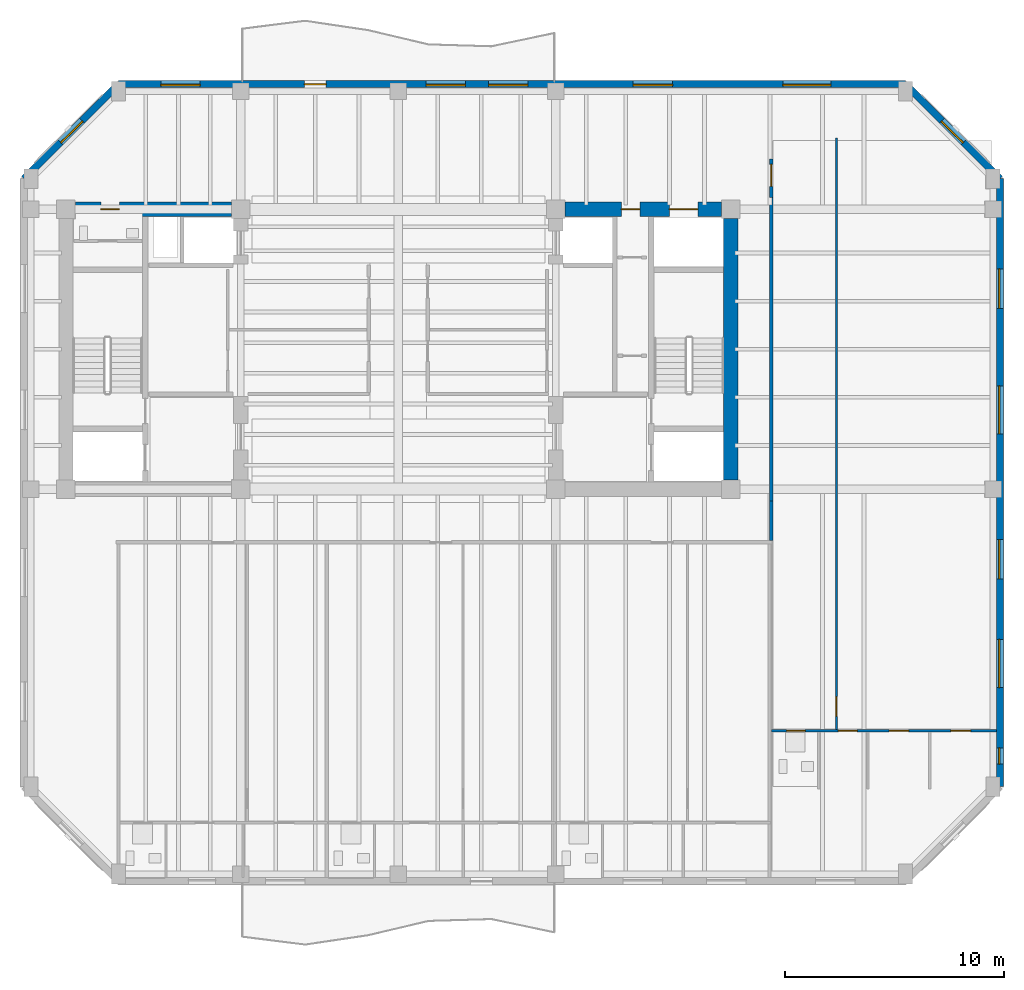
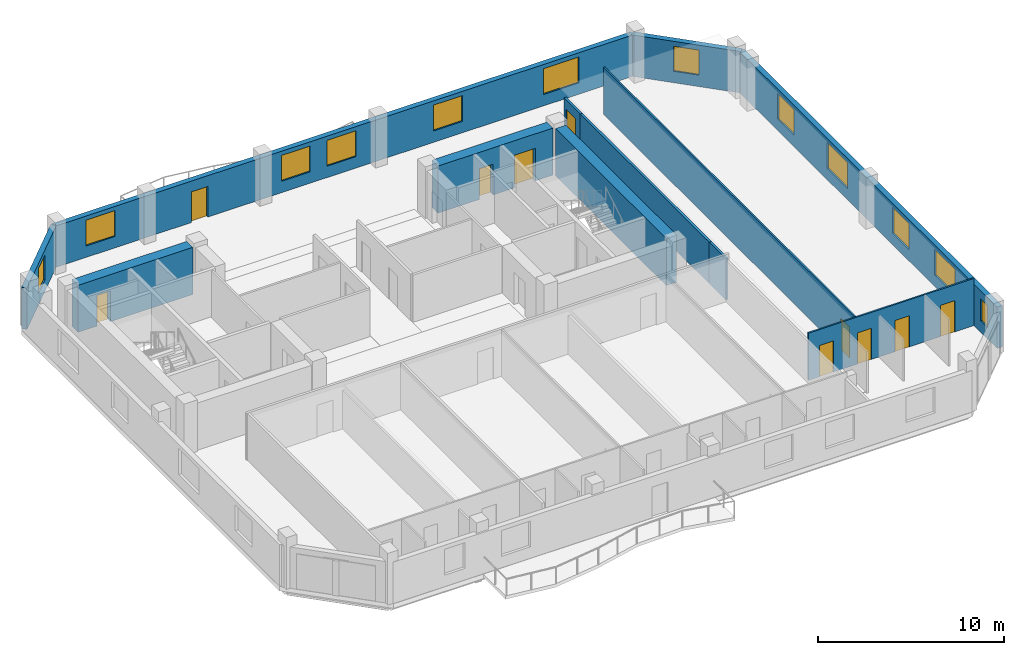
# One storey, part 5 of 10: 12 walls, 12 windows, 10 doors, 22 openings.
"""IFC4 building model written with IfcOpenShell, lengths in metres."""

from ifc_helpers import new_model, si_unit, direction, frame, frame_2d, origin, place, context, subcontext, project, spatial, rectangle, extrude, material, layer, layer_set, type_object, element, fill, save


model = new_model("IFC4")

# Units and contexts
model_context = context("Model", 3, precision=1e-05, world=origin(), true_north=direction((0.0, 1.0)))
body_context = subcontext(model_context, "Body", "Model", "MODEL_VIEW")
ifc_project = project(units=[si_unit("LENGTHUNIT", "METRE"), si_unit("AREAUNIT", "SQUARE_METRE"), si_unit("VOLUMEUNIT", "CUBIC_METRE"), si_unit("PLANEANGLEUNIT", "RADIAN"), si_unit("MASSUNIT", "GRAM", prefix="KILO")], contexts=[model_context])

# Site, building, storey
site_placement = place(None, origin())
site = spatial("IfcSite", under=ifc_project, at=site_placement, CompositionType="ELEMENT")
building_placement = place(site_placement, origin())
building = spatial("IfcBuilding", under=site, at=building_placement, Name="Kranthara Brick Stack", CompositionType="ELEMENT")
storey_placement = place(building_placement, frame((0.0, 0.0, 234.699951171875)))
storey = spatial("IfcBuildingStorey", under=building, at=storey_placement, Name="L61", CompositionType="ELEMENT", Elevation=234.699951171875)

# Wall, opening, window
ifc_material_1 = material(Name="Warm buff clay brick masonry M15", Category="masonry")
ifc_layer_1 = layer(ifc_material_1, 0.320068359375)
ifc_layer_set_1 = layer_set([ifc_layer_1], Name="Warm buff clay brick masonry M15")
wall_type_1 = type_object("IfcWallType", Name="WL-BRK-UPPR-320", PredefinedType="STANDARD", material=ifc_layer_set_1)
wall_1_placement = place(storey_placement, frame((10.8798828125, 35.0, 0.0), z_axis=(0.0, 0.0, 1.0), x_axis=(0.707106781187, 0.707106781187, 0.0)))
wall_1 = element("IfcWall", 1, at=wall_1_placement, inside=storey, type_object=wall_type_1, Name="L61 Exterior Brick Facade Wall NW 1", PredefinedType="STANDARD", context=body_context, shape_type="SweptSolid", body=[
    extrude(rectangle(XDim=6.109619140625, YDim=0.320068359375, at=frame_2d((3.0546875, 0.0))), origin(), (0.0, 0.0, 1.0), 2.72509765625),
])
opening_1_placement = place(wall_1_placement, frame((2.35498046875, 0.0, 0.75)))
opening_1 = element("IfcOpeningElement", 2, at=opening_1_placement, cuts=wall_1, Name="Opening WN10", PredefinedType="OPENING", context=body_context, shape_type="SweptSolid", body=[
    extrude(rectangle(XDim=1.39990234375, YDim=1.64990234375, at=frame_2d((0.699951171875, 0.824951171875))), frame((0.0, 0.169921875, 0.0), z_axis=(0.0, -1.0, 0.0), x_axis=(1.0, 0.0, 0.0)), (0.0, 0.0, 1.0), 0.340087890625),
])
ifc_material_2 = material(Name="Double-glazed low-E solar control glass", Category="glass")
window_type_1 = type_object("IfcWindowType", Name="WN-CHM-1400x1750", PartitioningType="SINGLE_PANEL", PredefinedType="WINDOW", material=ifc_material_2)
window_1_placement = place(opening_1_placement, origin())
window_1 = element("IfcWindow", 3, at=window_1_placement, inside=storey, type_object=window_type_1, Name="L61 NW Chamfer Corner Window", OverallHeight=1.64990234375, OverallWidth=1.39990234375, PartitioningType="SINGLE_PANEL", PredefinedType="WINDOW", context=body_context, shape_type="SweptSolid", body=[
    extrude(rectangle(XDim=1.39990234375, YDim=1.64990234375, at=frame_2d((0.699951171875, 0.824951171875))), frame((0.0, -0.010009765625, 0.0), z_axis=(0.0, -1.0, 0.0), x_axis=(1.0, 0.0, 0.0)), (0.0, 0.0, 1.0), 0.06005859375),
])
fill(opening_1, window_1)

# Wall, openings, door, windows
wall_2_placement = place(storey_placement, frame((15.199951171875, 39.320068359375, 0.0), z_axis=(0.0, 0.0, 1.0), x_axis=(1.0, 0.0, 0.0)))
wall_2 = element("IfcWall", 4, at=wall_2_placement, inside=storey, type_object=wall_type_1, Name="L61 Exterior Brick Facade Wall NORTH 1", PredefinedType="STANDARD", context=body_context, shape_type="SweptSolid", body=[
    extrude(rectangle(XDim=36.0, YDim=0.320068359375, at=frame_2d((18.0, 0.0))), origin(), (0.0, 0.0, 1.0), 2.72509765625),
])
opening_2_placement = place(wall_2_placement, frame((8.5, 0.0, 0.0)))
opening_2 = element("IfcOpeningElement", 5, at=opening_2_placement, cuts=wall_2, Name="Opening D03", PredefinedType="OPENING", context=body_context, shape_type="SweptSolid", body=[
    extrude(rectangle(XDim=1.0, YDim=2.02001953125, at=frame_2d((0.5, 1.010009765625))), frame((0.0, 0.169921875, 0.0), z_axis=(0.0, -1.0, 0.0), x_axis=(1.0, 0.0, 0.0)), (0.0, 0.0, 1.0), 0.340087890625),
])
opening_3_placement = place(wall_2_placement, frame((1.93798828125, 0.0, 0.75)))
opening_3 = element("IfcOpeningElement", 6, at=opening_3_placement, cuts=wall_2, Name="Opening WN07", PredefinedType="OPENING", context=body_context, shape_type="SweptSolid", body=[
    extrude(rectangle(XDim=1.800048828125, YDim=1.699951171875, at=frame_2d((0.89990234375, 0.85009765625))), frame((0.0, 0.169921875, 0.0), z_axis=(0.0, -1.0, 0.0), x_axis=(1.0, 0.0, 0.0)), (0.0, 0.0, 1.0), 0.340087890625),
])
opening_4_placement = place(wall_2_placement, frame((14.072021484375, 0.0, 0.75)))
opening_4 = element("IfcOpeningElement", 7, at=opening_4_placement, cuts=wall_2, Name="Opening WN07", PredefinedType="OPENING", context=body_context, shape_type="SweptSolid", body=[
    extrude(rectangle(XDim=1.800048828125, YDim=1.699951171875, at=frame_2d((0.89990234375, 0.85009765625))), frame((0.0, 0.169921875, 0.0), z_axis=(0.0, -1.0, 0.0), x_axis=(1.0, 0.0, 0.0)), (0.0, 0.0, 1.0), 0.340087890625),
])
opening_5_placement = place(wall_2_placement, frame((16.927978515625, 0.0, 0.75)))
opening_5 = element("IfcOpeningElement", 8, at=opening_5_placement, cuts=wall_2, Name="Opening WN07", PredefinedType="OPENING", context=body_context, shape_type="SweptSolid", body=[
    extrude(rectangle(XDim=1.800048828125, YDim=1.699951171875, at=frame_2d((0.89990234375, 0.85009765625))), frame((0.0, 0.169921875, 0.0), z_axis=(0.0, -1.0, 0.0), x_axis=(1.0, 0.0, 0.0)), (0.0, 0.0, 1.0), 0.340087890625),
])
opening_6_placement = place(wall_2_placement, frame((23.541015625, 0.0, 0.75)))
opening_6 = element("IfcOpeningElement", 9, at=opening_6_placement, cuts=wall_2, Name="Opening WN07", PredefinedType="OPENING", context=body_context, shape_type="SweptSolid", body=[
    extrude(rectangle(XDim=1.800048828125, YDim=1.699951171875, at=frame_2d((0.89990234375, 0.85009765625))), frame((0.0, 0.169921875, 0.0), z_axis=(0.0, -1.0, 0.0), x_axis=(1.0, 0.0, 0.0)), (0.0, 0.0, 1.0), 0.340087890625),
])
opening_7_placement = place(wall_2_placement, frame((30.384033203125, 0.0, 0.75)))
opening_7 = element("IfcOpeningElement", 10, at=opening_7_placement, cuts=wall_2, Name="Opening WN08", PredefinedType="OPENING", context=body_context, shape_type="SweptSolid", body=[
    extrude(rectangle(XDim=2.199951171875, YDim=1.699951171875, at=frame_2d((1.10009765625, 0.85009765625))), frame((0.0, 0.169921875, 0.0), z_axis=(0.0, -1.0, 0.0), x_axis=(1.0, 0.0, 0.0)), (0.0, 0.0, 1.0), 0.340087890625),
])
ifc_material_3 = material(Name="Bronze anodised aluminium and laminated glass", Category="aluminium")
door_type_1 = type_object("IfcDoorType", Name="DR-BALC-1000", OperationType="NOTDEFINED", PredefinedType="DOOR", material=ifc_material_3)
door_1_placement = place(opening_2_placement, origin())
door_1 = element("IfcDoor", 11, at=door_1_placement, inside=storey, type_object=door_type_1, Name="L61 North Balcony Terrace Door", OperationType="SINGLE_SWING_RIGHT", OverallHeight=2.02001953125, OverallWidth=1.0, PredefinedType="DOOR", context=body_context, shape_type="SweptSolid", body=[
    extrude(rectangle(XDim=1.0, YDim=2.02001953125, at=frame_2d((0.5, 1.010009765625))), frame((0.0, 0.02490234375, 0.0), z_axis=(0.0, -1.0, 0.0), x_axis=(1.0, 0.0, 0.0)), (0.0, 0.0, 1.0), 0.050048828125),
])
fill(opening_2, door_1)
ifc_material_4 = material(Name="Double-glazed low-E solar control glass", Category="glass")
window_type_2 = type_object("IfcWindowType", Name="WN-RES-1800x1850", PartitioningType="DOUBLE_PANEL_VERTICAL", PredefinedType="WINDOW", material=ifc_material_4)
window_2_placement = place(opening_3_placement, origin())
window_2 = element("IfcWindow", 12, at=window_2_placement, inside=storey, type_object=window_type_2, Name="L61 North Deep-Set Brick Window 01", OverallHeight=1.699951171875, OverallWidth=1.800048828125, PartitioningType="SINGLE_PANEL", PredefinedType="WINDOW", context=body_context, shape_type="SweptSolid", body=[
    extrude(rectangle(XDim=1.800048828125, YDim=1.699951171875, at=frame_2d((0.89990234375, 0.85009765625))), frame((0.0, -0.010009765625, 0.0), z_axis=(0.0, -1.0, 0.0), x_axis=(1.0, 0.0, 0.0)), (0.0, 0.0, 1.0), 0.06005859375),
])
fill(opening_3, window_2)
window_3_placement = place(opening_4_placement, origin())
window_3 = element("IfcWindow", 13, at=window_3_placement, inside=storey, type_object=window_type_2, Name="L61 North Deep-Set Brick Window 02", OverallHeight=1.699951171875, OverallWidth=1.800048828125, PartitioningType="SINGLE_PANEL", PredefinedType="WINDOW", context=body_context, shape_type="SweptSolid", body=[
    extrude(rectangle(XDim=1.800048828125, YDim=1.699951171875, at=frame_2d((0.89990234375, 0.85009765625))), frame((0.0, -0.010009765625, 0.0), z_axis=(0.0, -1.0, 0.0), x_axis=(1.0, 0.0, 0.0)), (0.0, 0.0, 1.0), 0.06005859375),
])
fill(opening_4, window_3)
window_4_placement = place(opening_5_placement, origin())
window_4 = element("IfcWindow", 14, at=window_4_placement, inside=storey, type_object=window_type_2, Name="L61 North Deep-Set Brick Window 03", OverallHeight=1.699951171875, OverallWidth=1.800048828125, PartitioningType="SINGLE_PANEL", PredefinedType="WINDOW", context=body_context, shape_type="SweptSolid", body=[
    extrude(rectangle(XDim=1.800048828125, YDim=1.699951171875, at=frame_2d((0.89990234375, 0.85009765625))), frame((0.0, -0.010009765625, 0.0), z_axis=(0.0, -1.0, 0.0), x_axis=(1.0, 0.0, 0.0)), (0.0, 0.0, 1.0), 0.06005859375),
])
fill(opening_5, window_4)
window_5_placement = place(opening_6_placement, origin())
window_5 = element("IfcWindow", 15, at=window_5_placement, inside=storey, type_object=window_type_2, Name="L61 North Deep-Set Brick Window 04", OverallHeight=1.699951171875, OverallWidth=1.800048828125, PartitioningType="SINGLE_PANEL", PredefinedType="WINDOW", context=body_context, shape_type="SweptSolid", body=[
    extrude(rectangle(XDim=1.800048828125, YDim=1.699951171875, at=frame_2d((0.89990234375, 0.85009765625))), frame((0.0, -0.010009765625, 0.0), z_axis=(0.0, -1.0, 0.0), x_axis=(1.0, 0.0, 0.0)), (0.0, 0.0, 1.0), 0.06005859375),
])
fill(opening_6, window_5)
ifc_material_5 = material(Name="Double-glazed low-E solar control glass", Category="glass")
window_type_3 = type_object("IfcWindowType", Name="WN-RES-2200x1850", PartitioningType="TRIPLE_PANEL_VERTICAL", PredefinedType="WINDOW", material=ifc_material_5)
window_6_placement = place(opening_7_placement, origin())
window_6 = element("IfcWindow", 16, at=window_6_placement, inside=storey, type_object=window_type_3, Name="L61 North Deep-Set Brick Window 05", OverallHeight=1.699951171875, OverallWidth=2.199951171875, PartitioningType="SINGLE_PANEL", PredefinedType="WINDOW", context=body_context, shape_type="SweptSolid", body=[
    extrude(rectangle(XDim=2.199951171875, YDim=1.699951171875, at=frame_2d((1.10009765625, 0.85009765625))), frame((0.0, -0.010009765625, 0.0), z_axis=(0.0, -1.0, 0.0), x_axis=(1.0, 0.0, 0.0)), (0.0, 0.0, 1.0), 0.06005859375),
])
fill(opening_7, window_6)

# Wall, opening, window
wall_3_placement = place(storey_placement, frame((51.199951171875, 39.320068359375, 0.0), z_axis=(0.0, 0.0, 1.0), x_axis=(0.707106781187, -0.707106781187, 0.0)))
wall_3 = element("IfcWall", 17, at=wall_3_placement, inside=storey, type_object=wall_type_1, Name="L61 Exterior Brick Facade Wall NE 1", PredefinedType="STANDARD", context=body_context, shape_type="SweptSolid", body=[
    extrude(rectangle(XDim=6.109619140625, YDim=0.320068359375, at=frame_2d((3.0546875, 0.0))), origin(), (0.0, 0.0, 1.0), 2.72509765625),
])
opening_8_placement = place(wall_3_placement, frame((2.35498046875, 0.0, 0.75)))
opening_8 = element("IfcOpeningElement", 18, at=opening_8_placement, cuts=wall_3, Name="Opening WN10", PredefinedType="OPENING", context=body_context, shape_type="SweptSolid", body=[
    extrude(rectangle(XDim=1.39990234375, YDim=1.64990234375, at=frame_2d((0.699951171875, 0.824951171875))), frame((0.0, 0.169921875, 0.0), z_axis=(0.0, -1.0, 0.0), x_axis=(1.0, 0.0, 0.0)), (0.0, 0.0, 1.0), 0.340087890625),
])
window_7_placement = place(opening_8_placement, origin())
window_7 = element("IfcWindow", 19, at=window_7_placement, inside=storey, type_object=window_type_1, Name="L61 NE Chamfer Corner Window", OverallHeight=1.64990234375, OverallWidth=1.39990234375, PartitioningType="SINGLE_PANEL", PredefinedType="WINDOW", context=body_context, shape_type="SweptSolid", body=[
    extrude(rectangle(XDim=1.39990234375, YDim=1.64990234375, at=frame_2d((0.699951171875, 0.824951171875))), frame((0.0, -0.010009765625, 0.0), z_axis=(0.0, -1.0, 0.0), x_axis=(1.0, 0.0, 0.0)), (0.0, 0.0, 1.0), 0.06005859375),
])
fill(opening_8, window_7)

# Wall, openings, windows
wall_4_placement = place(storey_placement, frame((55.52001953125, 35.0, 0.0), z_axis=(0.0, 0.0, 1.0), x_axis=(0.0, -1.0, 0.0)))
wall_4 = element("IfcWall", 20, at=wall_4_placement, inside=storey, type_object=wall_type_1, Name="L61 Exterior Brick Facade Wall EAST 1", PredefinedType="STANDARD", context=body_context, shape_type="SweptSolid", body=[
    extrude(rectangle(XDim=27.800048828125, YDim=0.320068359375, at=frame_2d((13.89990234375, 0.0))), origin(), (0.0, 0.0, 1.0), 2.72509765625),
])
opening_9_placement = place(wall_4_placement, frame((4.1279296875, 0.0, 0.75)))
opening_9 = element("IfcOpeningElement", 21, at=opening_9_placement, cuts=wall_4, Name="Opening WN07", PredefinedType="OPENING", context=body_context, shape_type="SweptSolid", body=[
    extrude(rectangle(XDim=1.800048828125, YDim=1.699951171875, at=frame_2d((0.89990234375, 0.85009765625))), frame((0.0, 0.169921875, 0.0), z_axis=(0.0, -1.0, 0.0), x_axis=(1.0, 0.0, 0.0)), (0.0, 0.0, 1.0), 0.340087890625),
])
opening_10_placement = place(wall_4_placement, frame((9.471923828125, 0.0, 0.75)))
opening_10 = element("IfcOpeningElement", 22, at=opening_10_placement, cuts=wall_4, Name="Opening WN08", PredefinedType="OPENING", context=body_context, shape_type="SweptSolid", body=[
    extrude(rectangle(XDim=2.199951171875, YDim=1.699951171875, at=frame_2d((1.10009765625, 0.85009765625))), frame((0.0, 0.169921875, 0.0), z_axis=(0.0, -1.0, 0.0), x_axis=(1.0, 0.0, 0.0)), (0.0, 0.0, 1.0), 0.340087890625),
])
opening_11_placement = place(wall_4_placement, frame((16.506103515625, 0.0, 0.75)))
opening_11 = element("IfcOpeningElement", 23, at=opening_11_placement, cuts=wall_4, Name="Opening WN07", PredefinedType="OPENING", context=body_context, shape_type="SweptSolid", body=[
    extrude(rectangle(XDim=1.800048828125, YDim=1.699951171875, at=frame_2d((0.89990234375, 0.85009765625))), frame((0.0, 0.169921875, 0.0), z_axis=(0.0, -1.0, 0.0), x_axis=(1.0, 0.0, 0.0)), (0.0, 0.0, 1.0), 0.340087890625),
])
opening_12_placement = place(wall_4_placement, frame((21.069091796875, 0.0, 0.75)))
opening_12 = element("IfcOpeningElement", 24, at=opening_12_placement, cuts=wall_4, Name="Opening WN08", PredefinedType="OPENING", context=body_context, shape_type="SweptSolid", body=[
    extrude(rectangle(XDim=2.199951171875, YDim=1.699951171875, at=frame_2d((1.10009765625, 0.85009765625))), frame((0.0, 0.169921875, 0.0), z_axis=(0.0, -1.0, 0.0), x_axis=(1.0, 0.0, 0.0)), (0.0, 0.0, 1.0), 0.340087890625),
])
opening_13_placement = place(wall_4_placement, frame((26.02490234375, 0.0, 0.75)))
opening_13 = element("IfcOpeningElement", 25, at=opening_13_placement, cuts=wall_4, Name="Opening WN13", PredefinedType="OPENING", context=body_context, shape_type="SweptSolid", body=[
    extrude(rectangle(XDim=0.75, YDim=1.449951171875, at=frame_2d((0.375, 0.72509765625))), frame((0.0, 0.169921875, 0.0), z_axis=(0.0, -1.0, 0.0), x_axis=(1.0, 0.0, 0.0)), (0.0, 0.0, 1.0), 0.340087890625),
])
ifc_material_6 = material(Name="Double-glazed low-E solar control glass", Category="glass")
window_type_4 = type_object("IfcWindowType", Name="WN-CAS-750x1450", PartitioningType="SINGLE_PANEL", PredefinedType="WINDOW", material=ifc_material_6)
window_8_placement = place(opening_13_placement, origin())
window_8 = element("IfcWindow", 26, at=window_8_placement, inside=storey, type_object=window_type_4, Name="L61 East Deep-Set Casement Window 05", OverallHeight=1.449951171875, OverallWidth=0.75, PartitioningType="SINGLE_PANEL", PredefinedType="WINDOW", context=body_context, shape_type="SweptSolid", body=[
    extrude(rectangle(XDim=0.75, YDim=1.449951171875, at=frame_2d((0.375, 0.72509765625))), frame((0.0, -0.010009765625, 0.0), z_axis=(0.0, -1.0, 0.0), x_axis=(1.0, 0.0, 0.0)), (0.0, 0.0, 1.0), 0.06005859375),
])
fill(opening_13, window_8)
window_9_placement = place(opening_9_placement, origin())
window_9 = element("IfcWindow", 27, at=window_9_placement, inside=storey, type_object=window_type_2, Name="L61 East Deep-Set Brick Window 01", OverallHeight=1.699951171875, OverallWidth=1.800048828125, PartitioningType="SINGLE_PANEL", PredefinedType="WINDOW", context=body_context, shape_type="SweptSolid", body=[
    extrude(rectangle(XDim=1.800048828125, YDim=1.699951171875, at=frame_2d((0.89990234375, 0.85009765625))), frame((0.0, -0.010009765625, 0.0), z_axis=(0.0, -1.0, 0.0), x_axis=(1.0, 0.0, 0.0)), (0.0, 0.0, 1.0), 0.06005859375),
])
fill(opening_9, window_9)
window_10_placement = place(opening_11_placement, origin())
window_10 = element("IfcWindow", 28, at=window_10_placement, inside=storey, type_object=window_type_2, Name="L61 East Deep-Set Brick Window 03", OverallHeight=1.699951171875, OverallWidth=1.800048828125, PartitioningType="SINGLE_PANEL", PredefinedType="WINDOW", context=body_context, shape_type="SweptSolid", body=[
    extrude(rectangle(XDim=1.800048828125, YDim=1.699951171875, at=frame_2d((0.89990234375, 0.85009765625))), frame((0.0, -0.010009765625, 0.0), z_axis=(0.0, -1.0, 0.0), x_axis=(1.0, 0.0, 0.0)), (0.0, 0.0, 1.0), 0.06005859375),
])
fill(opening_11, window_10)
window_11_placement = place(opening_10_placement, origin())
window_11 = element("IfcWindow", 29, at=window_11_placement, inside=storey, type_object=window_type_3, Name="L61 East Deep-Set Brick Window 02", OverallHeight=1.699951171875, OverallWidth=2.199951171875, PartitioningType="SINGLE_PANEL", PredefinedType="WINDOW", context=body_context, shape_type="SweptSolid", body=[
    extrude(rectangle(XDim=2.199951171875, YDim=1.699951171875, at=frame_2d((1.10009765625, 0.85009765625))), frame((0.0, -0.010009765625, 0.0), z_axis=(0.0, -1.0, 0.0), x_axis=(1.0, 0.0, 0.0)), (0.0, 0.0, 1.0), 0.06005859375),
])
fill(opening_10, window_11)
window_12_placement = place(opening_12_placement, origin())
window_12 = element("IfcWindow", 30, at=window_12_placement, inside=storey, type_object=window_type_3, Name="L61 East Deep-Set Brick Window 04", OverallHeight=1.699951171875, OverallWidth=2.199951171875, PartitioningType="SINGLE_PANEL", PredefinedType="WINDOW", context=body_context, shape_type="SweptSolid", body=[
    extrude(rectangle(XDim=2.199951171875, YDim=1.699951171875, at=frame_2d((1.10009765625, 0.85009765625))), frame((0.0, -0.010009765625, 0.0), z_axis=(0.0, -1.0, 0.0), x_axis=(1.0, 0.0, 0.0)), (0.0, 0.0, 1.0), 0.06005859375),
])
fill(opening_12, window_12)

# Wall, opening, door
ifc_material_7 = material(Name="Concrete C60/75", Category="concrete")
ifc_layer_2 = layer(ifc_material_7, 0.64990234375)
ifc_layer_set_2 = layer_set([ifc_layer_2], Name="Concrete C60/75")
wall_type_2 = type_object("IfcWallType", Name="WL-CORE-650", PredefinedType="SHEAR", material=ifc_layer_set_2)
wall_5_placement = place(storey_placement, frame((13.22998046875, 33.60009765625, 0.0), z_axis=(0.0, 0.0, 1.0), x_axis=(1.0, 0.0, 0.0)))
wall_5 = element("IfcWall", 31, at=wall_5_placement, inside=storey, type_object=wall_type_2, Name="L61 West Core Shear Wall North", PredefinedType="SHEAR", context=body_context, shape_type="SweptSolid", body=[
    extrude(rectangle(XDim=7.14013671875, YDim=0.64990234375, at=frame_2d((3.570068359375, 0.0))), origin(), (0.0, 0.0, 1.0), 3.10009765625),
])
opening_14_placement = place(wall_5_placement, frame((1.169921875, 0.0, 0.0)))
opening_14 = element("IfcOpeningElement", 32, at=opening_14_placement, cuts=wall_5, Name="Opening D10", PredefinedType="OPENING", context=body_context, shape_type="SweptSolid", body=[
    extrude(rectangle(XDim=0.85009765625, YDim=2.02001953125, at=frame_2d((0.425048828125, 1.010009765625))), frame((0.0, 0.3349609375, 0.0), z_axis=(0.0, -1.0, 0.0), x_axis=(1.0, 0.0, 0.0)), (0.0, 0.0, 1.0), 0.669921875),
])
ifc_material_8 = material(Name="Solid-core hardwood timber leaf in steel frame", Category="steel")
door_type_2 = type_object("IfcDoorType", Name="DR-RSR-850", OperationType="NOTDEFINED", PredefinedType="DOOR", material=ifc_material_8)
door_2_placement = place(opening_14_placement, origin())
door_2 = element("IfcDoor", 33, at=door_2_placement, inside=storey, type_object=door_type_2, Name="L61 West Core Service Door 1", OperationType="SINGLE_SWING_LEFT", OverallHeight=2.02001953125, OverallWidth=0.85009765625, PredefinedType="DOOR", context=body_context, shape_type="SweptSolid", body=[
    extrude(rectangle(XDim=0.85009765625, YDim=2.02001953125, at=frame_2d((0.425048828125, 1.010009765625))), frame((0.0, 0.02490234375, 0.0), z_axis=(0.0, -1.0, 0.0), x_axis=(1.0, 0.0, 0.0)), (0.0, 0.0, 1.0), 0.050048828125),
])
fill(opening_14, door_2)

# Wall
wall_6_placement = place(storey_placement, frame((43.199951171875, 21.22998046875, 0.0), z_axis=(0.0, 0.0, 1.0), x_axis=(0.0, 1.0, 0.0)))
element("IfcWall", 34, at=wall_6_placement, inside=storey, type_object=wall_type_2, Name="L61 East Core Shear Wall East", PredefinedType="SHEAR", context=body_context, shape_type="SweptSolid", body=[
    extrude(rectangle(XDim=11.93994140625, YDim=0.64990234375, at=frame_2d((5.969970703125, 0.0))), origin(), (0.0, 0.0, 1.0), 3.10009765625),
])

# Wall, openings, doors
wall_7_placement = place(storey_placement, frame((35.6298828125, 33.60009765625, 0.0), z_axis=(0.0, 0.0, 1.0), x_axis=(1.0, 0.0, 0.0)))
wall_7 = element("IfcWall", 35, at=wall_7_placement, inside=storey, type_object=wall_type_2, Name="L61 East Core Shear Wall North", PredefinedType="SHEAR", context=body_context, shape_type="SweptSolid", body=[
    extrude(rectangle(XDim=7.14013671875, YDim=0.64990234375, at=frame_2d((3.570068359375, 0.0))), origin(), (0.0, 0.0, 1.0), 3.10009765625),
])
opening_15_placement = place(wall_7_placement, frame((4.77001953125, 0.0, 0.0)))
opening_15 = element("IfcOpeningElement", 36, at=opening_15_placement, cuts=wall_7, Name="Opening LD03", PredefinedType="OPENING", context=body_context, shape_type="SweptSolid", body=[
    extrude(rectangle(XDim=1.300048828125, YDim=2.14990234375, at=frame_2d((0.64990234375, 1.074951171875))), frame((0.0, 0.3349609375, 0.0), z_axis=(0.0, -1.0, 0.0), x_axis=(1.0, 0.0, 0.0)), (0.0, 0.0, 1.0), 0.669921875),
])
opening_16_placement = place(wall_7_placement, frame((2.570068359375, 0.0, 0.0)))
opening_16 = element("IfcOpeningElement", 37, at=opening_16_placement, cuts=wall_7, Name="Opening D10", PredefinedType="OPENING", context=body_context, shape_type="SweptSolid", body=[
    extrude(rectangle(XDim=0.85009765625, YDim=2.02001953125, at=frame_2d((0.425048828125, 1.010009765625))), frame((0.0, 0.3349609375, 0.0), z_axis=(0.0, -1.0, 0.0), x_axis=(1.0, 0.0, 0.0)), (0.0, 0.0, 1.0), 0.669921875),
])
ifc_material_9 = material(Name="Stainless steel sliding landing door", Category="steel")
door_type_3 = type_object("IfcDoorType", Name="DR-LD-SV1300", OperationType="DOUBLE_DOOR_SLIDING", PredefinedType="DOOR", material=ifc_material_9)
door_3_placement = place(opening_15_placement, origin())
door_3 = element("IfcDoor", 38, at=door_3_placement, inside=storey, type_object=door_type_3, Name="L61 Stretcher Service Lift SV-01 Landing Door", OperationType="DOUBLE_DOOR_SLIDING", OverallHeight=2.14990234375, OverallWidth=1.300048828125, PredefinedType="DOOR", context=body_context, shape_type="SweptSolid", body=[
    extrude(rectangle(XDim=1.300048828125, YDim=2.14990234375, at=frame_2d((0.64990234375, 1.074951171875))), frame((0.0, 0.02490234375, 0.0), z_axis=(0.0, -1.0, 0.0), x_axis=(1.0, 0.0, 0.0)), (0.0, 0.0, 1.0), 0.050048828125),
])
fill(opening_15, door_3)
door_4_placement = place(opening_16_placement, origin())
door_4 = element("IfcDoor", 39, at=door_4_placement, inside=storey, type_object=door_type_2, Name="L61 East Core Service Room Door", OperationType="SINGLE_SWING_LEFT", OverallHeight=2.02001953125, OverallWidth=0.85009765625, PredefinedType="DOOR", context=body_context, shape_type="SweptSolid", body=[
    extrude(rectangle(XDim=0.85009765625, YDim=2.02001953125, at=frame_2d((0.425048828125, 1.010009765625))), frame((0.0, 0.02490234375, 0.0), z_axis=(0.0, -1.0, 0.0), x_axis=(1.0, 0.0, 0.0)), (0.0, 0.0, 1.0), 0.050048828125),
])
fill(opening_16, door_4)

ifc_material_10 = material(Name="Moisture-resistant wet-room partition", Category="other")
ifc_layer_3 = layer(ifc_material_10, 0.10009765625)
ifc_layer_set_3 = layer_set([ifc_layer_3], Name="Moisture-resistant wet-room partition")
wall_type_3 = type_object("IfcWallType", Name="WL-PART-100", PredefinedType="PARTITIONING", material=ifc_layer_set_3)
wall_8_placement = place(storey_placement, frame((45.06005859375, 9.75, 0.0), z_axis=(0.0, 0.0, 1.0), x_axis=(1.0, 0.0, 0.0)))
wall_8 = element("IfcWall", 40, at=wall_8_placement, inside=storey, type_object=wall_type_3, Name="L61 Interior Partition 034", PredefinedType="PARTITIONING", context=body_context, shape_type="SweptSolid", body=[
    extrude(rectangle(XDim=10.294921875, YDim=0.10009765625, at=frame_2d((5.1474609375, 0.0))), origin(), (0.0, 0.0, 1.0), 3.10009765625),
])
opening_17_placement = place(wall_8_placement, frame((0.697021484375, 0.0, 0.0)))
opening_17 = element("IfcOpeningElement", 41, at=opening_17_placement, cuts=wall_8, Name="Opening D17", PredefinedType="OPENING", context=body_context, shape_type="SweptSolid", body=[
    extrude(rectangle(XDim=0.85009765625, YDim=2.050048828125, at=frame_2d((0.425048828125, 1.02490234375))), frame((0.0, 0.06005859375, 0.0), z_axis=(0.0, -1.0, 0.0), x_axis=(1.0, 0.0, 0.0)), (0.0, 0.0, 1.0), 0.1201171875),
])
opening_18_placement = place(wall_8_placement, frame((3.068115234375, 0.0, 0.0)))
opening_18 = element("IfcOpeningElement", 42, at=opening_18_placement, cuts=wall_8, Name="Opening D16", PredefinedType="OPENING", context=body_context, shape_type="SweptSolid", body=[
    extrude(rectangle(XDim=0.85009765625, YDim=2.050048828125, at=frame_2d((0.425048828125, 1.02490234375))), frame((0.0, 0.06005859375, 0.0), z_axis=(0.0, -1.0, 0.0), x_axis=(1.0, 0.0, 0.0)), (0.0, 0.0, 1.0), 0.1201171875),
])
opening_19_placement = place(wall_8_placement, frame((5.384033203125, 0.0, 0.0)))
opening_19 = element("IfcOpeningElement", 43, at=opening_19_placement, cuts=wall_8, Name="Opening D15", PredefinedType="OPENING", context=body_context, shape_type="SweptSolid", body=[
    extrude(rectangle(XDim=0.89990234375, YDim=2.050048828125, at=frame_2d((0.449951171875, 1.02490234375))), frame((0.0, 0.06005859375, 0.0), z_axis=(0.0, -1.0, 0.0), x_axis=(1.0, 0.0, 0.0)), (0.0, 0.0, 1.0), 0.1201171875),
])
opening_20_placement = place(wall_8_placement, frame((8.2080078125, 0.0, 0.0)))
opening_20 = element("IfcOpeningElement", 44, at=opening_20_placement, cuts=wall_8, Name="Opening D15", PredefinedType="OPENING", context=body_context, shape_type="SweptSolid", body=[
    extrude(rectangle(XDim=0.89990234375, YDim=2.050048828125, at=frame_2d((0.449951171875, 1.02490234375))), frame((0.0, 0.06005859375, 0.0), z_axis=(0.0, -1.0, 0.0), x_axis=(1.0, 0.0, 0.0)), (0.0, 0.0, 1.0), 0.1201171875),
])
ifc_material_11 = material(Name="Solid-core hardwood timber leaf in steel frame", Category="steel")
door_type_4 = type_object("IfcDoorType", Name="DR-INT-850", OperationType="NOTDEFINED", PredefinedType="DOOR", material=ifc_material_11)
door_5_placement = place(opening_18_placement, origin())
door_5 = element("IfcDoor", 45, at=door_5_placement, inside=storey, type_object=door_type_4, Name="L61 Unit L61D Kitchen 28", OperationType="SINGLE_SWING_RIGHT", OverallHeight=2.050048828125, OverallWidth=0.85009765625, PredefinedType="DOOR", context=body_context, shape_type="SweptSolid", body=[
    extrude(rectangle(XDim=0.85009765625, YDim=2.050048828125, at=frame_2d((0.425048828125, 1.02490234375))), frame((0.0, 0.02490234375, 0.0), z_axis=(0.0, -1.0, 0.0), x_axis=(1.0, 0.0, 0.0)), (0.0, 0.0, 1.0), 0.050048828125),
])
fill(opening_18, door_5)
ifc_material_12 = material(Name="Solid-core hardwood timber leaf in steel frame", Category="steel")
door_type_5 = type_object("IfcDoorType", Name="DR-INT-900", OperationType="NOTDEFINED", PredefinedType="DOOR", material=ifc_material_12)
door_6_placement = place(opening_19_placement, origin())
door_6 = element("IfcDoor", 46, at=door_6_placement, inside=storey, type_object=door_type_5, Name="L61 Unit L61D Master Bedroom 29", OperationType="SINGLE_SWING_LEFT", OverallHeight=2.050048828125, OverallWidth=0.89990234375, PredefinedType="DOOR", context=body_context, shape_type="SweptSolid", body=[
    extrude(rectangle(XDim=0.89990234375, YDim=2.050048828125, at=frame_2d((0.449951171875, 1.02490234375))), frame((0.0, 0.02490234375, 0.0), z_axis=(0.0, -1.0, 0.0), x_axis=(1.0, 0.0, 0.0)), (0.0, 0.0, 1.0), 0.050048828125),
])
fill(opening_19, door_6)
door_7_placement = place(opening_20_placement, origin())
door_7 = element("IfcDoor", 47, at=door_7_placement, inside=storey, type_object=door_type_5, Name="L61 Unit L61D Bedroom 2 30", OperationType="SINGLE_SWING_RIGHT", OverallHeight=2.050048828125, OverallWidth=0.89990234375, PredefinedType="DOOR", context=body_context, shape_type="SweptSolid", body=[
    extrude(rectangle(XDim=0.89990234375, YDim=2.050048828125, at=frame_2d((0.449951171875, 1.02490234375))), frame((0.0, 0.02490234375, 0.0), z_axis=(0.0, -1.0, 0.0), x_axis=(1.0, 0.0, 0.0)), (0.0, 0.0, 1.0), 0.050048828125),
])
fill(opening_20, door_7)
ifc_material_13 = material(Name="Solid-core hardwood timber leaf in steel frame", Category="steel")
door_type_6 = type_object("IfcDoorType", Name="DR-WET-850", OperationType="NOTDEFINED", PredefinedType="DOOR", material=ifc_material_13)
door_8_placement = place(opening_17_placement, origin())
door_8 = element("IfcDoor", 48, at=door_8_placement, inside=storey, type_object=door_type_6, Name="L61 Unit L61D Bathroom 27", OperationType="SINGLE_SWING_LEFT", OverallHeight=2.050048828125, OverallWidth=0.85009765625, PredefinedType="DOOR", context=body_context, shape_type="SweptSolid", body=[
    extrude(rectangle(XDim=0.85009765625, YDim=2.050048828125, at=frame_2d((0.425048828125, 1.02490234375))), frame((0.0, 0.02490234375, 0.0), z_axis=(0.0, -1.0, 0.0), x_axis=(1.0, 0.0, 0.0)), (0.0, 0.0, 1.0), 0.050048828125),
])
fill(opening_17, door_8)

# Wall, opening, door
wall_9_placement = place(storey_placement, frame((48.037109375, 9.804931640625, 0.0), z_axis=(0.0, 0.0, 1.0), x_axis=(0.0, 1.0, 0.0)))
wall_9 = element("IfcWall", 49, at=wall_9_placement, inside=storey, type_object=wall_type_3, Name="L61 Interior Partition 035", PredefinedType="PARTITIONING", context=body_context, shape_type="SweptSolid", body=[
    extrude(rectangle(XDim=27.065185546875, YDim=0.10009765625, at=frame_2d((13.53271484375, 0.0))), origin(), (0.0, 0.0, 1.0), 3.10009765625),
])
opening_21_placement = place(wall_9_placement, frame((0.60498046875, 0.0, 0.0)))
opening_21 = element("IfcOpeningElement", 50, at=opening_21_placement, cuts=wall_9, Name="Opening D15", PredefinedType="OPENING", context=body_context, shape_type="SweptSolid", body=[
    extrude(rectangle(XDim=0.89990234375, YDim=2.050048828125, at=frame_2d((0.449951171875, 1.02490234375))), frame((0.0, 0.06005859375, 0.0), z_axis=(0.0, -1.0, 0.0), x_axis=(1.0, 0.0, 0.0)), (0.0, 0.0, 1.0), 0.1201171875),
])
door_9_placement = place(opening_21_placement, origin())
door_9 = element("IfcDoor", 51, at=door_9_placement, inside=storey, type_object=door_type_5, Name="L61 Unit L61D Study 26", OperationType="SINGLE_SWING_RIGHT", OverallHeight=2.050048828125, OverallWidth=0.89990234375, PredefinedType="DOOR", context=body_context, shape_type="SweptSolid", body=[
    extrude(rectangle(XDim=0.89990234375, YDim=2.050048828125, at=frame_2d((0.449951171875, 1.02490234375))), frame((0.0, 0.02490234375, 0.0), z_axis=(0.0, -1.0, 0.0), x_axis=(1.0, 0.0, 0.0)), (0.0, 0.0, 1.0), 0.050048828125),
])
fill(opening_21, door_9)

# Walls
ifc_material_14 = material(Name="Fire-rated gypsum board partition", Category="other")
ifc_layer_4 = layer(ifc_material_14, 0.14990234375)
ifc_layer_set_4 = layer_set([ifc_layer_4], Name="Fire-rated gypsum board partition")
wall_type_4 = type_object("IfcWallType", Name="WL-PART-150", PredefinedType="PARTITIONING", material=ifc_layer_set_4)
wall_10_placement = place(storey_placement, frame((45.050048828125, 18.4599609375, 0.0), z_axis=(0.0, 0.0, 1.0), x_axis=(0.0, 1.0, 0.0)))
element("IfcWall", 52, at=wall_10_placement, inside=storey, type_object=wall_type_4, Name="L61 Interior Partition 030", PredefinedType="PARTITIONING", context=body_context, shape_type="SweptSolid", body=[
    extrude(rectangle(XDim=1.7900390625, YDim=0.14990234375, at=frame_2d((0.89501953125, 0.0))), origin(), (0.0, 0.0, 1.0), 2.72509765625),
])
wall_11_placement = place(storey_placement, frame((45.050048828125, 20.25, 0.0), z_axis=(0.0, 0.0, 1.0), x_axis=(0.0, 1.0, 0.0)))
element("IfcWall", 53, at=wall_11_placement, inside=storey, type_object=wall_type_4, Name="L61 Interior Partition 031", PredefinedType="PARTITIONING", context=body_context, shape_type="SweptSolid", body=[
    extrude(rectangle(XDim=13.89990234375, YDim=0.14990234375, at=frame_2d((6.949951171875, 0.0))), origin(), (0.0, 0.0, 1.0), 2.72509765625),
])

# Wall, opening, door
wall_12_placement = place(storey_placement, frame((45.050048828125, 34.14990234375, 0.0), z_axis=(0.0, 0.0, 1.0), x_axis=(0.0, 1.0, 0.0)))
wall_12 = element("IfcWall", 54, at=wall_12_placement, inside=storey, type_object=wall_type_4, Name="L61 Interior Partition 032", PredefinedType="PARTITIONING", context=body_context, shape_type="SweptSolid", body=[
    extrude(rectangle(XDim=1.75, YDim=0.14990234375, at=frame_2d((0.875, 0.0))), origin(), (0.0, 0.0, 1.0), 2.72509765625),
])
opening_22_placement = place(wall_12_placement, frame((0.5, 0.0, 0.0)))
opening_22 = element("IfcOpeningElement", 55, at=opening_22_placement, cuts=wall_12, Name="Opening D08", PredefinedType="OPENING", context=body_context, shape_type="SweptSolid", body=[
    extrude(rectangle(XDim=1.0, YDim=2.10009765625, at=frame_2d((0.5, 1.050048828125))), frame((0.0, 0.0849609375, 0.0), z_axis=(0.0, -1.0, 0.0), x_axis=(1.0, 0.0, 0.0)), (0.0, 0.0, 1.0), 0.169921875),
])
ifc_material_15 = material(Name="Solid-core hardwood timber leaf in steel frame", Category="steel")
door_type_7 = type_object("IfcDoorType", Name="DR-FD-1000", OperationType="NOTDEFINED", PredefinedType="DOOR", material=ifc_material_15)
door_10_placement = place(opening_22_placement, origin())
door_10 = element("IfcDoor", 56, at=door_10_placement, inside=storey, type_object=door_type_7, Name="L61 Unit L61D Entrance 25", OperationType="SINGLE_SWING_LEFT", OverallHeight=2.10009765625, OverallWidth=1.0, PredefinedType="DOOR", context=body_context, shape_type="SweptSolid", body=[
    extrude(rectangle(XDim=1.0, YDim=2.10009765625, at=frame_2d((0.5, 1.050048828125))), frame((0.0, 0.02490234375, 0.0), z_axis=(0.0, -1.0, 0.0), x_axis=(1.0, 0.0, 0.0)), (0.0, 0.0, 1.0), 0.050048828125),
])
fill(opening_22, door_10)

save(model, "model.ifc")
